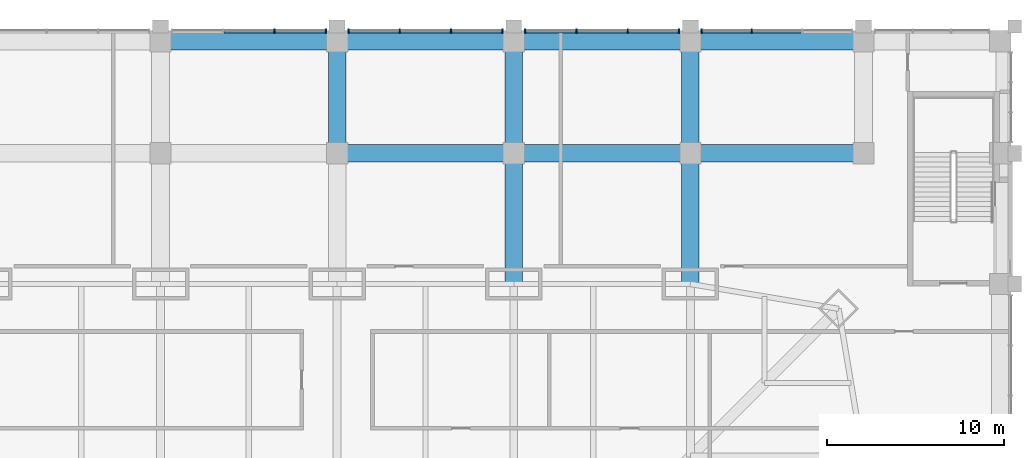
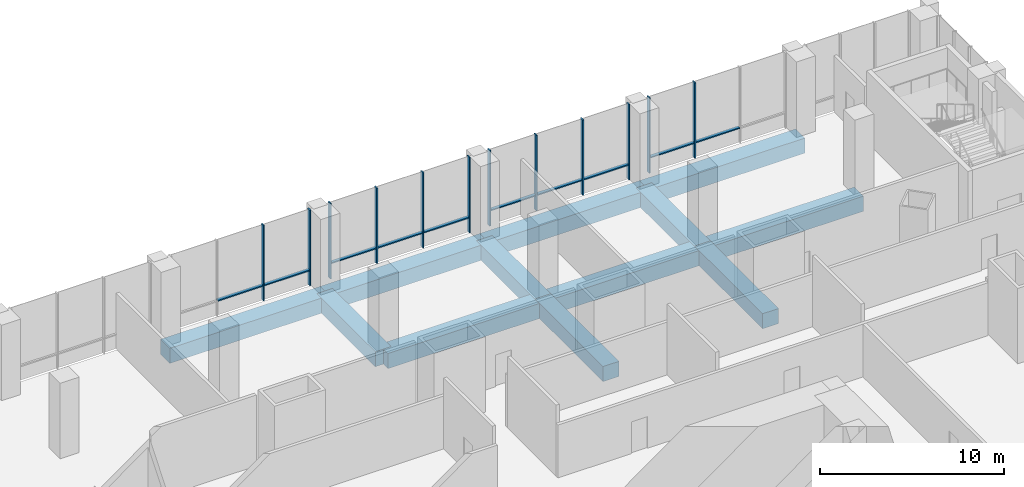
# One storey, part 11 of 24: 22 members, 12 beams, 4 elements without a shape of their own.
"""IFC4 building model written with IfcOpenShell, lengths in metres."""

from ifc_helpers import new_model, si_unit, direction, frame, origin, origin_2d, place, context, subcontext, project, spatial, rectangle, extrude, material, material_profile, profile_set, type_object, element, aggregate, save


model = new_model("IFC4")

# Units and contexts
model_context = context("Model", 3, precision=1e-05, world=origin(), true_north=direction((0.0, 1.0)))
body_context = subcontext(model_context, "Body", "Model", "MODEL_VIEW")
ifc_project = project(units=[si_unit("LENGTHUNIT", "METRE"), si_unit("AREAUNIT", "SQUARE_METRE"), si_unit("VOLUMEUNIT", "CUBIC_METRE"), si_unit("PLANEANGLEUNIT", "RADIAN"), si_unit("MASSUNIT", "GRAM", prefix="KILO")], contexts=[model_context])

# Site, building, storey
site_placement = place(None, origin())
site = spatial("IfcSite", under=ifc_project, at=site_placement, CompositionType="ELEMENT")
building_placement = place(site_placement, origin())
building = spatial("IfcBuilding", under=site, at=building_placement, Name="Khuree Lantern Residences", CompositionType="ELEMENT")
storey_placement = place(building_placement, frame((0.0, 0.0, 11.0)))
storey = spatial("IfcBuildingStorey", under=building, at=storey_placement, Name="L02", CompositionType="ELEMENT", Elevation=11.0)

# Curtain wall, members
ifc_material_1 = material(Name="Bronze anodised aluminium", Category="aluminium")
curtain_wall_type = type_object("IfcCurtainWallType", Name="CW-P PODIUM STOREFRONT CURTAIN WALL", PredefinedType="USERDEFINED", material=ifc_material_1)
curtain_wall_1_placement = place(storey_placement, origin())
curtain_wall_1 = element("IfcCurtainWall", 1, at=curtain_wall_1_placement, inside=storey, type_object=curtain_wall_type, Name="L02 NORTH FACE BAY 2 STOREFRONT", ObjectType="Storefront curtain wall", PredefinedType="USERDEFINED")
ifc_material_profile_1 = material_profile(ifc_material_1, rectangle(XDim=0.074951171875, YDim=0.25, at=origin_2d()), Name="M5 75X250")
ifc_profile_set_1 = profile_set([ifc_material_profile_1], Name="Bronze anodised aluminium")
member_type_1 = type_object("IfcMemberType", Name="MULLION M5 STOREFRONT 75X250", PredefinedType="MULLION", material=ifc_profile_set_1)
member_1_placement = place(storey_placement, frame((23.479248046875, 44.125, 0.0), z_axis=(0.0, 0.0, 1.0), x_axis=(-1.0, 0.0, 0.0)))
member_1 = element("IfcMember", 2, at=member_1_placement, type_object=member_type_1, Name="L02 NORTH FACE BAY 2 MULLION 3", PredefinedType="MULLION", context=body_context, shape_type="SweptSolid", body=[
    extrude(rectangle(XDim=0.074951171875, YDim=0.25, at=origin_2d()), origin(), (0.0, 0.0, 1.0), 5.0),
])
member_2_placement = place(storey_placement, frame((20.637451171875, 44.125, 0.0), z_axis=(0.0, 0.0, 1.0), x_axis=(-1.0, 0.0, 0.0)))
member_2 = element("IfcMember", 3, at=member_2_placement, type_object=member_type_1, Name="L02 NORTH FACE BAY 2 MULLION 4", PredefinedType="MULLION", context=body_context, shape_type="SweptSolid", body=[
    extrude(rectangle(XDim=0.074951171875, YDim=0.25, at=origin_2d()), origin(), (0.0, 0.0, 1.0), 5.0),
])

curtain_wall_2_placement = place(storey_placement, origin())
curtain_wall_2 = element("IfcCurtainWall", 4, at=curtain_wall_2_placement, inside=storey, type_object=curtain_wall_type, Name="L02 NORTH FACE BAY 3 STOREFRONT", ObjectType="Storefront curtain wall", PredefinedType="USERDEFINED")
member_3_placement = place(storey_placement, frame((19.362548828125, 44.125, 0.0), z_axis=(0.0, 0.0, 1.0), x_axis=(-1.0, 0.0, 0.0)))
member_3 = element("IfcMember", 5, at=member_3_placement, type_object=member_type_1, Name="L02 NORTH FACE BAY 3 MULLION 1", PredefinedType="MULLION", context=body_context, shape_type="SweptSolid", body=[
    extrude(rectangle(XDim=0.074951171875, YDim=0.25, at=origin_2d()), origin(), (0.0, 0.0, 1.0), 5.0),
])
member_4_placement = place(storey_placement, frame((16.4541015625, 44.125, 0.0), z_axis=(0.0, 0.0, 1.0), x_axis=(-1.0, 0.0, 0.0)))
member_4 = element("IfcMember", 6, at=member_4_placement, type_object=member_type_1, Name="L02 NORTH FACE BAY 3 MULLION 2", PredefinedType="MULLION", context=body_context, shape_type="SweptSolid", body=[
    extrude(rectangle(XDim=0.074951171875, YDim=0.25, at=origin_2d()), origin(), (0.0, 0.0, 1.0), 5.0),
])
member_5_placement = place(storey_placement, frame((13.5458984375, 44.125, 0.0), z_axis=(0.0, 0.0, 1.0), x_axis=(-1.0, 0.0, 0.0)))
member_5 = element("IfcMember", 7, at=member_5_placement, type_object=member_type_1, Name="L02 NORTH FACE BAY 3 MULLION 3", PredefinedType="MULLION", context=body_context, shape_type="SweptSolid", body=[
    extrude(rectangle(XDim=0.074951171875, YDim=0.25, at=origin_2d()), origin(), (0.0, 0.0, 1.0), 5.0),
])
member_6_placement = place(storey_placement, frame((10.637451171875, 44.125, 0.0), z_axis=(0.0, 0.0, 1.0), x_axis=(-1.0, 0.0, 0.0)))
member_6 = element("IfcMember", 8, at=member_6_placement, type_object=member_type_1, Name="L02 NORTH FACE BAY 3 MULLION 4", PredefinedType="MULLION", context=body_context, shape_type="SweptSolid", body=[
    extrude(rectangle(XDim=0.074951171875, YDim=0.25, at=origin_2d()), origin(), (0.0, 0.0, 1.0), 5.0),
])

curtain_wall_3_placement = place(storey_placement, origin())
curtain_wall_3 = element("IfcCurtainWall", 9, at=curtain_wall_3_placement, inside=storey, type_object=curtain_wall_type, Name="L02 NORTH FACE BAY 4 STOREFRONT", ObjectType="Storefront curtain wall", PredefinedType="USERDEFINED")
member_7_placement = place(storey_placement, frame((9.362548828125, 44.125, 0.0), z_axis=(0.0, 0.0, 1.0), x_axis=(-1.0, 0.0, 0.0)))
member_7 = element("IfcMember", 10, at=member_7_placement, type_object=member_type_1, Name="L02 NORTH FACE BAY 4 MULLION 1", PredefinedType="MULLION", context=body_context, shape_type="SweptSolid", body=[
    extrude(rectangle(XDim=0.074951171875, YDim=0.25, at=origin_2d()), origin(), (0.0, 0.0, 1.0), 5.0),
])
member_8_placement = place(storey_placement, frame((6.4541015625, 44.125, 0.0), z_axis=(0.0, 0.0, 1.0), x_axis=(-1.0, 0.0, 0.0)))
member_8 = element("IfcMember", 11, at=member_8_placement, type_object=member_type_1, Name="L02 NORTH FACE BAY 4 MULLION 2", PredefinedType="MULLION", context=body_context, shape_type="SweptSolid", body=[
    extrude(rectangle(XDim=0.074951171875, YDim=0.25, at=origin_2d()), origin(), (0.0, 0.0, 1.0), 5.0),
])
member_9_placement = place(storey_placement, frame((3.5458984375, 44.125, 0.0), z_axis=(0.0, 0.0, 1.0), x_axis=(-1.0, 0.0, 0.0)))
member_9 = element("IfcMember", 12, at=member_9_placement, type_object=member_type_1, Name="L02 NORTH FACE BAY 4 MULLION 3", PredefinedType="MULLION", context=body_context, shape_type="SweptSolid", body=[
    extrude(rectangle(XDim=0.074951171875, YDim=0.25, at=origin_2d()), origin(), (0.0, 0.0, 1.0), 5.0),
])
member_10_placement = place(storey_placement, frame((0.637451171875, 44.125, 0.0), z_axis=(0.0, 0.0, 1.0), x_axis=(-1.0, 0.0, 0.0)))
member_10 = element("IfcMember", 13, at=member_10_placement, type_object=member_type_1, Name="L02 NORTH FACE BAY 4 MULLION 4", PredefinedType="MULLION", context=body_context, shape_type="SweptSolid", body=[
    extrude(rectangle(XDim=0.074951171875, YDim=0.25, at=origin_2d()), origin(), (0.0, 0.0, 1.0), 5.0),
])

curtain_wall_4_placement = place(storey_placement, origin())
curtain_wall_4 = element("IfcCurtainWall", 14, at=curtain_wall_4_placement, inside=storey, type_object=curtain_wall_type, Name="L02 NORTH FACE BAY 5 STOREFRONT", ObjectType="Storefront curtain wall", PredefinedType="USERDEFINED")
member_11_placement = place(storey_placement, frame((-0.637451171875, 44.125, 0.0), z_axis=(0.0, 0.0, 1.0), x_axis=(-1.0, 0.0, 0.0)))
member_11 = element("IfcMember", 15, at=member_11_placement, type_object=member_type_1, Name="L02 NORTH FACE BAY 5 MULLION 1", PredefinedType="MULLION", context=body_context, shape_type="SweptSolid", body=[
    extrude(rectangle(XDim=0.074951171875, YDim=0.25, at=origin_2d()), origin(), (0.0, 0.0, 1.0), 5.0),
])
member_12_placement = place(storey_placement, frame((-3.5458984375, 44.125, 0.0), z_axis=(0.0, 0.0, 1.0), x_axis=(-1.0, 0.0, 0.0)))
member_12 = element("IfcMember", 16, at=member_12_placement, type_object=member_type_1, Name="L02 NORTH FACE BAY 5 MULLION 2", PredefinedType="MULLION", context=body_context, shape_type="SweptSolid", body=[
    extrude(rectangle(XDim=0.074951171875, YDim=0.25, at=origin_2d()), origin(), (0.0, 0.0, 1.0), 5.0),
])

# Beams
ifc_material_2 = material(Name="Concrete C40/50", Category="concrete")
ifc_material_profile_2 = material_profile(ifc_material_2, rectangle(XDim=1.0, YDim=1.0, at=origin_2d()), Name="RC 1000X1000")
ifc_profile_set_2 = profile_set([ifc_material_profile_2], Name="Concrete C40/50")
beam_type = type_object("IfcBeamType", Name="RB3 PODIUM BEAM RC 1000X1000", PredefinedType="BEAM", material=ifc_profile_set_2)
for number, where, z_axis, x_axis, name in (
    (17, (0.0, 37.199951171875, -0.800048828125), (1.0, 0.0, 0.0), (0.0, 1.0, 0.0), "Podium beam RB-14"),
    (18, (10.0, 37.199951171875, -0.800048828125), (1.0, 0.0, 0.0), (0.0, 1.0, 0.0), "Podium beam RB-15"),
):
    element("IfcBeam", number, at=place(storey_placement, frame(where, z_axis=z_axis, x_axis=x_axis)), inside=storey, type_object=beam_type, Name=name, PredefinedType="BEAM", context=body_context, shape_type="SweptSolid", body=[
        extrude(rectangle(XDim=1.0, YDim=1.0, at=origin_2d()), origin(), (0.0, 0.0, 1.0), 10.0),
    ])
beam_1_placement = place(storey_placement, frame((20.0, 37.199951171875, -0.800048828125), z_axis=(1.0, 0.0, 0.0), x_axis=(0.0, 1.0, 0.0)))
element("IfcBeam", 19, at=beam_1_placement, inside=storey, type_object=beam_type, Name="Podium beam RB-16", PredefinedType="BEAM", context=body_context, shape_type="SweptSolid", body=[
    extrude(rectangle(XDim=1.0, YDim=1.0, at=origin_2d()), origin(), (0.0, 0.0, 1.0), 9.800048828125),
])
for number, where, z_axis, x_axis, name in (
    (20, (-10.0, 43.550048828125, -0.800048828125), (1.0, 0.0, 0.0), (0.0, 1.0, 0.0), "Podium beam RB-20"),
    (21, (0.0, 43.550048828125, -0.800048828125), (1.0, 0.0, 0.0), (0.0, 1.0, 0.0), "Podium beam RB-21"),
    (22, (10.0, 43.550048828125, -0.800048828125), (1.0, 0.0, 0.0), (0.0, 1.0, 0.0), "Podium beam RB-22"),
):
    element("IfcBeam", number, at=place(storey_placement, frame(where, z_axis=z_axis, x_axis=x_axis)), inside=storey, type_object=beam_type, Name=name, PredefinedType="BEAM", context=body_context, shape_type="SweptSolid", body=[
        extrude(rectangle(XDim=1.0, YDim=1.0, at=origin_2d()), origin(), (0.0, 0.0, 1.0), 10.0),
    ])
beam_2_placement = place(storey_placement, frame((20.0, 43.550048828125, -0.800048828125), z_axis=(1.0, 0.0, 0.0), x_axis=(0.0, 1.0, 0.0)))
element("IfcBeam", 23, at=beam_2_placement, inside=storey, type_object=beam_type, Name="Podium beam RB-23", PredefinedType="BEAM", context=body_context, shape_type="SweptSolid", body=[
    extrude(rectangle(XDim=1.0, YDim=1.0, at=origin_2d()), origin(), (0.0, 0.0, 1.0), 9.800048828125),
])
beam_3_placement = place(storey_placement, frame((0.0, 37.199951171875, -0.800048828125), z_axis=(0.0, 1.0, 0.0), x_axis=(-1.0, 0.0, 0.0)))
element("IfcBeam", 24, at=beam_3_placement, inside=storey, type_object=beam_type, Name="Podium beam RB-39", PredefinedType="BEAM", context=body_context, shape_type="SweptSolid", body=[
    extrude(rectangle(XDim=1.0, YDim=1.0, at=origin_2d()), origin(), (0.0, 0.0, 1.0), 6.35009765625),
])
beam_4_placement = place(storey_placement, frame((10.0, 29.800048828125, -0.800048828125), z_axis=(0.0, 1.0, 0.0), x_axis=(-1.0, 0.0, 0.0)))
element("IfcBeam", 25, at=beam_4_placement, inside=storey, type_object=beam_type, Name="Podium beam RB-40", PredefinedType="BEAM", context=body_context, shape_type="SweptSolid", body=[
    extrude(rectangle(XDim=1.0, YDim=1.0, at=origin_2d()), origin(), (0.0, 0.0, 1.0), 7.39990234375),
])
beam_5_placement = place(storey_placement, frame((10.0, 37.199951171875, -0.800048828125), z_axis=(0.0, 1.0, 0.0), x_axis=(-1.0, 0.0, 0.0)))
element("IfcBeam", 26, at=beam_5_placement, inside=storey, type_object=beam_type, Name="Podium beam RB-41", PredefinedType="BEAM", context=body_context, shape_type="SweptSolid", body=[
    extrude(rectangle(XDim=1.0, YDim=1.0, at=origin_2d()), origin(), (0.0, 0.0, 1.0), 6.35009765625),
])
beam_6_placement = place(storey_placement, frame((20.0, 29.800048828125, -0.800048828125), z_axis=(0.0, 1.0, 0.0), x_axis=(-1.0, 0.0, 0.0)))
element("IfcBeam", 27, at=beam_6_placement, inside=storey, type_object=beam_type, Name="Podium beam RB-42", PredefinedType="BEAM", context=body_context, shape_type="SweptSolid", body=[
    extrude(rectangle(XDim=1.0, YDim=1.0, at=origin_2d()), origin(), (0.0, 0.0, 1.0), 7.39990234375),
])
beam_7_placement = place(storey_placement, frame((20.0, 37.199951171875, -0.800048828125), z_axis=(0.0, 1.0, 0.0), x_axis=(-1.0, 0.0, 0.0)))
element("IfcBeam", 28, at=beam_7_placement, inside=storey, type_object=beam_type, Name="Podium beam RB-43", PredefinedType="BEAM", context=body_context, shape_type="SweptSolid", body=[
    extrude(rectangle(XDim=1.0, YDim=1.0, at=origin_2d()), origin(), (0.0, 0.0, 1.0), 6.35009765625),
])

# Member
ifc_material_profile_3 = material_profile(ifc_material_1, rectangle(XDim=0.199951171875, YDim=0.074951171875, at=origin_2d()), Name="T5 200X75")
ifc_profile_set_3 = profile_set([ifc_material_profile_3], Name="Bronze anodised aluminium")
member_type_2 = type_object("IfcMemberType", Name="TRANSOM T5 STOREFRONT 200X75", PredefinedType="USERDEFINED", material=ifc_profile_set_3)
member_13_placement = place(storey_placement, frame((26.283447265625, 44.1201171875, 1.0), z_axis=(-1.0, 0.0, 0.0), x_axis=(0.0, -1.0, 0.0)))
member_13 = element("IfcMember", 29, at=member_13_placement, type_object=member_type_2, Name="L02 NORTH FACE BAY 2 TRANSOM 2", ObjectType="Transom", PredefinedType="USERDEFINED", context=body_context, shape_type="SweptSolid", body=[
    extrude(rectangle(XDim=0.199951171875, YDim=0.074951171875, at=origin_2d()), origin(), (0.0, 0.0, 1.0), 2.766845703125),
])

member_14_placement = place(storey_placement, frame((23.441650390625, 44.1201171875, 1.0), z_axis=(-1.0, 0.0, 0.0), x_axis=(0.0, -1.0, 0.0)))
member_14 = element("IfcMember", 30, at=member_14_placement, type_object=member_type_2, Name="L02 NORTH FACE BAY 2 TRANSOM 3", ObjectType="Transom", PredefinedType="USERDEFINED", context=body_context, shape_type="SweptSolid", body=[
    extrude(rectangle(XDim=0.199951171875, YDim=0.074951171875, at=origin_2d()), origin(), (0.0, 0.0, 1.0), 2.7666015625),
])

aggregate(curtain_wall_1, [member_1, member_2, member_13, member_14])

member_15_placement = place(storey_placement, frame((19.324951171875, 44.1201171875, 1.0), z_axis=(-1.0, 0.0, 0.0), x_axis=(0.0, -1.0, 0.0)))
member_15 = element("IfcMember", 31, at=member_15_placement, type_object=member_type_2, Name="L02 NORTH FACE BAY 3 TRANSOM 1", ObjectType="Transom", PredefinedType="USERDEFINED", context=body_context, shape_type="SweptSolid", body=[
    extrude(rectangle(XDim=0.199951171875, YDim=0.074951171875, at=origin_2d()), origin(), (0.0, 0.0, 1.0), 2.833251953125),
])

member_16_placement = place(storey_placement, frame((16.416748046875, 44.1201171875, 1.0), z_axis=(-1.0, 0.0, 0.0), x_axis=(0.0, -1.0, 0.0)))
member_16 = element("IfcMember", 32, at=member_16_placement, type_object=member_type_2, Name="L02 NORTH FACE BAY 3 TRANSOM 2", ObjectType="Transom", PredefinedType="USERDEFINED", context=body_context, shape_type="SweptSolid", body=[
    extrude(rectangle(XDim=0.199951171875, YDim=0.074951171875, at=origin_2d()), origin(), (0.0, 0.0, 1.0), 2.83349609375),
])

member_17_placement = place(storey_placement, frame((13.50830078125, 44.1201171875, 1.0), z_axis=(-1.0, 0.0, 0.0), x_axis=(0.0, -1.0, 0.0)))
member_17 = element("IfcMember", 33, at=member_17_placement, type_object=member_type_2, Name="L02 NORTH FACE BAY 3 TRANSOM 3", ObjectType="Transom", PredefinedType="USERDEFINED", context=body_context, shape_type="SweptSolid", body=[
    extrude(rectangle(XDim=0.199951171875, YDim=0.074951171875, at=origin_2d()), origin(), (0.0, 0.0, 1.0), 2.833251953125),
])

aggregate(curtain_wall_2, [member_3, member_4, member_5, member_6, member_15, member_16, member_17])

member_18_placement = place(storey_placement, frame((9.324951171875, 44.1201171875, 1.0), z_axis=(-1.0, 0.0, 0.0), x_axis=(0.0, -1.0, 0.0)))
member_18 = element("IfcMember", 34, at=member_18_placement, type_object=member_type_2, Name="L02 NORTH FACE BAY 4 TRANSOM 1", ObjectType="Transom", PredefinedType="USERDEFINED", context=body_context, shape_type="SweptSolid", body=[
    extrude(rectangle(XDim=0.199951171875, YDim=0.074951171875, at=origin_2d()), origin(), (0.0, 0.0, 1.0), 2.833251953125),
])

member_19_placement = place(storey_placement, frame((6.416748046875, 44.1201171875, 1.0), z_axis=(-1.0, 0.0, 0.0), x_axis=(0.0, -1.0, 0.0)))
member_19 = element("IfcMember", 35, at=member_19_placement, type_object=member_type_2, Name="L02 NORTH FACE BAY 4 TRANSOM 2", ObjectType="Transom", PredefinedType="USERDEFINED", context=body_context, shape_type="SweptSolid", body=[
    extrude(rectangle(XDim=0.199951171875, YDim=0.074951171875, at=origin_2d()), origin(), (0.0, 0.0, 1.0), 2.83349609375),
])

member_20_placement = place(storey_placement, frame((3.50830078125, 44.1201171875, 1.0), z_axis=(-1.0, 0.0, 0.0), x_axis=(0.0, -1.0, 0.0)))
member_20 = element("IfcMember", 36, at=member_20_placement, type_object=member_type_2, Name="L02 NORTH FACE BAY 4 TRANSOM 3", ObjectType="Transom", PredefinedType="USERDEFINED", context=body_context, shape_type="SweptSolid", body=[
    extrude(rectangle(XDim=0.199951171875, YDim=0.074951171875, at=origin_2d()), origin(), (0.0, 0.0, 1.0), 2.833251953125),
])

aggregate(curtain_wall_3, [member_7, member_8, member_9, member_10, member_18, member_19, member_20])

member_21_placement = place(storey_placement, frame((-0.675048828125, 44.1201171875, 1.0), z_axis=(-1.0, 0.0, 0.0), x_axis=(0.0, -1.0, 0.0)))
member_21 = element("IfcMember", 37, at=member_21_placement, type_object=member_type_2, Name="L02 NORTH FACE BAY 5 TRANSOM 1", ObjectType="Transom", PredefinedType="USERDEFINED", context=body_context, shape_type="SweptSolid", body=[
    extrude(rectangle(XDim=0.199951171875, YDim=0.074951171875, at=origin_2d()), origin(), (0.0, 0.0, 1.0), 2.833251953125),
])

member_22_placement = place(storey_placement, frame((-3.583251953125, 44.1201171875, 1.0), z_axis=(-1.0, 0.0, 0.0), x_axis=(0.0, -1.0, 0.0)))
member_22 = element("IfcMember", 38, at=member_22_placement, type_object=member_type_2, Name="L02 NORTH FACE BAY 5 TRANSOM 2", ObjectType="Transom", PredefinedType="USERDEFINED", context=body_context, shape_type="SweptSolid", body=[
    extrude(rectangle(XDim=0.199951171875, YDim=0.074951171875, at=origin_2d()), origin(), (0.0, 0.0, 1.0), 2.83349609375),
])

aggregate(curtain_wall_4, [member_11, member_12, member_21, member_22])

save(model, "model.ifc")
